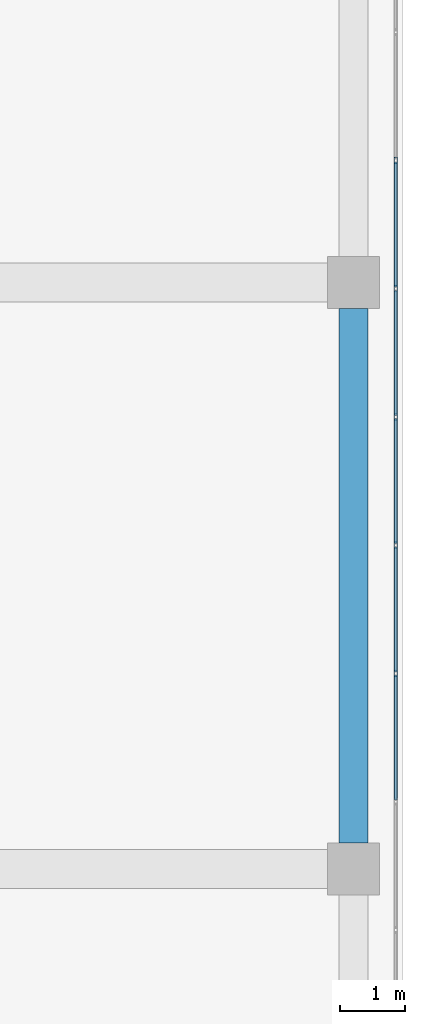
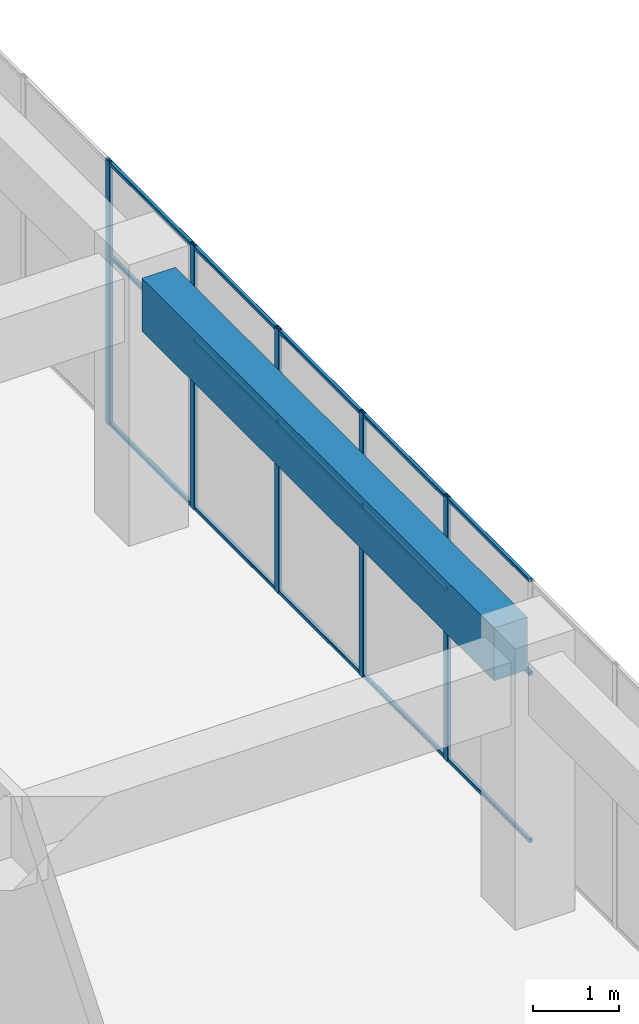
# One storey, part 55 of 81: 20 members, 1 beam, 1 element without a shape of its own.
"""IFC4 building model written with IfcOpenShell, lengths in metres."""

from ifc_helpers import new_model, si_unit, direction, frame, origin, origin_2d, place, context, subcontext, project, spatial, rectangle, hollow_rectangle, extrude, material, layer, layer_set, material_profile, profile_set, type_object, element, aggregate, save


model = new_model("IFC4")

# Units and contexts
model_context = context("Model", 3, precision=1e-05, world=origin(), true_north=direction((0.0, 1.0)))
body_context = subcontext(model_context, "Body", "Model", "MODEL_VIEW")
ifc_project = project(units=[si_unit("LENGTHUNIT", "METRE"), si_unit("AREAUNIT", "SQUARE_METRE"), si_unit("VOLUMEUNIT", "CUBIC_METRE"), si_unit("PLANEANGLEUNIT", "RADIAN"), si_unit("MASSUNIT", "GRAM", prefix="KILO")], contexts=[model_context])

# Site, building, storey
site_placement = place(None, origin())
site = spatial("IfcSite", under=ifc_project, at=site_placement, CompositionType="ELEMENT")
building_placement = place(site_placement, origin())
building = spatial("IfcBuilding", under=site, at=building_placement, Name="Tuart Plaza Theatre", CompositionType="ELEMENT")
storey_placement = place(building_placement, frame((0.0, 0.0, 17.5)))
storey = spatial("IfcBuildingStorey", under=building, at=storey_placement, Name="L04", CompositionType="ELEMENT", Elevation=17.5)

# Beam
ifc_material_1 = material(Name="Concrete N40 (40 MPa)", Category="concrete")
ifc_material_profile_1 = material_profile(ifc_material_1, rectangle(XDim=0.449951171875, YDim=0.75, at=origin_2d()), Name="BEAM 450x750 Concrete N40 (40 MPa)")
ifc_profile_set_1 = profile_set([ifc_material_profile_1], Name="Concrete N40 (40 MPa)")
beam_type = type_object("IfcBeamType", Name="BEAM 450x750 Concrete N40 (40 MPa)", PredefinedType="BEAM", material=ifc_profile_set_1)
beam_placement = place(storey_placement, frame((150.0, 65.39990234375, 3.375), z_axis=(0.0, 1.0, 0.0), x_axis=(-1.0, 0.0, 0.0)))
element("IfcBeam", 1, at=beam_placement, inside=storey, type_object=beam_type, Name="RB239", PredefinedType="BEAM", context=body_context, shape_type="SweptSolid", body=[
    extrude(rectangle(XDim=0.449951171875, YDim=0.75, at=origin_2d()), origin(), (0.0, 0.0, 1.0), 8.2001953125),
])

# Curtain wall, members
ifc_material_2 = material(Name="Aluminium and glass", Category="aluminium")
ifc_layer = layer(ifc_material_2, 0.10009765625)
ifc_layer_set = layer_set([ifc_layer], Name="CURTAIN WALL 2000 module")
curtain_wall_type = type_object("IfcCurtainWallType", Name="CURTAIN WALL 2000 module", PredefinedType="NOTDEFINED", material=ifc_layer_set)
curtain_wall_placement = place(storey_placement, origin())
curtain_wall = element("IfcCurtainWall", 2, at=curtain_wall_placement, inside=storey, type_object=curtain_wall_type, Name="CW78", PredefinedType="NOTDEFINED")
ifc_material_3 = material(Name="Aluminium 6063-T5", Category="aluminium")
ifc_material_profile_2 = material_profile(ifc_material_3, hollow_rectangle(XDim=0.050048828125, YDim=0.10009765625, WallThickness=0.00390625, InnerFilletRadius=0.00390625, OuterFilletRadius=0.008056640625, at=origin_2d()), Name="RHS 100x50x4")
ifc_profile_set_2 = profile_set([ifc_material_profile_2], Name="Aluminium 6063-T5")
member_type_1 = type_object("IfcMemberType", Name="MULLION RHS 100x50x4", PredefinedType="MULLION", material=ifc_profile_set_2)
member_1_placement = place(storey_placement, frame((150.64990234375, 68.0, 0.0), z_axis=(0.0, 0.0, 1.0), x_axis=(-1.0, 0.0, 0.0)))
member_1 = element("IfcMember", 3, at=member_1_placement, type_object=member_type_1, Name="CW78 mullion 9", PredefinedType="MULLION", context=body_context, shape_type="SweptSolid", body=[
    extrude(hollow_rectangle(XDim=0.050048828125, YDim=0.10009765625, WallThickness=0.00390625, InnerFilletRadius=0.00390625, OuterFilletRadius=0.008056640625, at=origin_2d()), origin(), (0.0, 0.0, 1.0), 3.75),
])
member_2_placement = place(storey_placement, frame((150.64990234375, 69.96875, 0.0), z_axis=(0.0, 0.0, 1.0), x_axis=(-1.0, 0.0, 0.0)))
member_2 = element("IfcMember", 4, at=member_2_placement, type_object=member_type_1, Name="CW78 mullion 10", PredefinedType="MULLION", context=body_context, shape_type="SweptSolid", body=[
    extrude(hollow_rectangle(XDim=0.050048828125, YDim=0.10009765625, WallThickness=0.00390625, InnerFilletRadius=0.00390625, OuterFilletRadius=0.008056640625, at=origin_2d()), origin(), (0.0, 0.0, 1.0), 3.75),
])
member_3_placement = place(storey_placement, frame((150.64990234375, 71.9375, 0.0), z_axis=(0.0, 0.0, 1.0), x_axis=(-1.0, 0.0, 0.0)))
member_3 = element("IfcMember", 5, at=member_3_placement, type_object=member_type_1, Name="CW78 mullion 11", PredefinedType="MULLION", context=body_context, shape_type="SweptSolid", body=[
    extrude(hollow_rectangle(XDim=0.050048828125, YDim=0.10009765625, WallThickness=0.00390625, InnerFilletRadius=0.00390625, OuterFilletRadius=0.008056640625, at=origin_2d()), origin(), (0.0, 0.0, 1.0), 3.75),
])
member_4_placement = place(storey_placement, frame((150.64990234375, 73.90625, 0.0), z_axis=(0.0, 0.0, 1.0), x_axis=(-1.0, 0.0, 0.0)))
member_4 = element("IfcMember", 6, at=member_4_placement, type_object=member_type_1, Name="CW78 mullion 12", PredefinedType="MULLION", context=body_context, shape_type="SweptSolid", body=[
    extrude(hollow_rectangle(XDim=0.050048828125, YDim=0.10009765625, WallThickness=0.00390625, InnerFilletRadius=0.00390625, OuterFilletRadius=0.008056640625, at=origin_2d()), origin(), (0.0, 0.0, 1.0), 3.75),
])
member_5_placement = place(storey_placement, frame((150.64990234375, 75.875, 0.0), z_axis=(0.0, 0.0, 1.0), x_axis=(-1.0, 0.0, 0.0)))
member_5 = element("IfcMember", 7, at=member_5_placement, type_object=member_type_1, Name="CW78 mullion 13", PredefinedType="MULLION", context=body_context, shape_type="SweptSolid", body=[
    extrude(hollow_rectangle(XDim=0.050048828125, YDim=0.10009765625, WallThickness=0.00390625, InnerFilletRadius=0.00390625, OuterFilletRadius=0.008056640625, at=origin_2d()), origin(), (0.0, 0.0, 1.0), 3.75),
])
ifc_material_4 = material(Name="Aluminium 6063-T5", Category="aluminium")
ifc_material_profile_3 = material_profile(ifc_material_4, hollow_rectangle(XDim=0.050048828125, YDim=0.050048828125, WallThickness=0.00390625, InnerFilletRadius=0.00390625, OuterFilletRadius=0.008056640625, at=origin_2d()), Name="RHS 50x50x4")
ifc_profile_set_3 = profile_set([ifc_material_profile_3], Name="Aluminium 6063-T5")
member_type_2 = type_object("IfcMemberType", Name="TRANSOM RHS 50x50x4", PredefinedType="USERDEFINED", material=ifc_profile_set_3)
member_6_placement = place(storey_placement, frame((150.64990234375, 66.05615234375, 0.02490234375), z_axis=(0.0, 1.0, 0.0), x_axis=(-1.0, 0.0, 0.0)))
member_6 = element("IfcMember", 8, at=member_6_placement, type_object=member_type_2, Name="CW78 transom 8.1", ObjectType="TRANSOM", PredefinedType="USERDEFINED", context=body_context, shape_type="SweptSolid", body=[
    extrude(hollow_rectangle(XDim=0.050048828125, YDim=0.050048828125, WallThickness=0.00390625, InnerFilletRadius=0.00390625, OuterFilletRadius=0.008056640625, at=origin_2d()), origin(), (0.0, 0.0, 1.0), 1.9189453125),
])
member_7_placement = place(storey_placement, frame((150.64990234375, 66.05615234375, 2.39990234375), z_axis=(0.0, 1.0, 0.0), x_axis=(-1.0, 0.0, 0.0)))
member_7 = element("IfcMember", 9, at=member_7_placement, type_object=member_type_2, Name="CW78 transom 8.2", ObjectType="TRANSOM", PredefinedType="USERDEFINED", context=body_context, shape_type="SweptSolid", body=[
    extrude(hollow_rectangle(XDim=0.050048828125, YDim=0.050048828125, WallThickness=0.00390625, InnerFilletRadius=0.00390625, OuterFilletRadius=0.008056640625, at=origin_2d()), origin(), (0.0, 0.0, 1.0), 1.9189453125),
])
member_8_placement = place(storey_placement, frame((150.64990234375, 66.05615234375, 3.72509765625), z_axis=(0.0, 1.0, 0.0), x_axis=(-1.0, 0.0, 0.0)))
member_8 = element("IfcMember", 10, at=member_8_placement, type_object=member_type_2, Name="CW78 transom 8.3", ObjectType="TRANSOM", PredefinedType="USERDEFINED", context=body_context, shape_type="SweptSolid", body=[
    extrude(hollow_rectangle(XDim=0.050048828125, YDim=0.050048828125, WallThickness=0.00390625, InnerFilletRadius=0.00390625, OuterFilletRadius=0.008056640625, at=origin_2d()), origin(), (0.0, 0.0, 1.0), 1.9189453125),
])
member_9_placement = place(storey_placement, frame((150.64990234375, 68.02490234375, 0.02490234375), z_axis=(0.0, 1.0, 0.0), x_axis=(-1.0, 0.0, 0.0)))
member_9 = element("IfcMember", 11, at=member_9_placement, type_object=member_type_2, Name="CW78 transom 9.1", ObjectType="TRANSOM", PredefinedType="USERDEFINED", context=body_context, shape_type="SweptSolid", body=[
    extrude(hollow_rectangle(XDim=0.050048828125, YDim=0.050048828125, WallThickness=0.00390625, InnerFilletRadius=0.00390625, OuterFilletRadius=0.008056640625, at=origin_2d()), origin(), (0.0, 0.0, 1.0), 1.9189453125),
])
member_10_placement = place(storey_placement, frame((150.64990234375, 68.02490234375, 2.39990234375), z_axis=(0.0, 1.0, 0.0), x_axis=(-1.0, 0.0, 0.0)))
member_10 = element("IfcMember", 12, at=member_10_placement, type_object=member_type_2, Name="CW78 transom 9.2", ObjectType="TRANSOM", PredefinedType="USERDEFINED", context=body_context, shape_type="SweptSolid", body=[
    extrude(hollow_rectangle(XDim=0.050048828125, YDim=0.050048828125, WallThickness=0.00390625, InnerFilletRadius=0.00390625, OuterFilletRadius=0.008056640625, at=origin_2d()), origin(), (0.0, 0.0, 1.0), 1.9189453125),
])
member_11_placement = place(storey_placement, frame((150.64990234375, 68.02490234375, 3.72509765625), z_axis=(0.0, 1.0, 0.0), x_axis=(-1.0, 0.0, 0.0)))
member_11 = element("IfcMember", 13, at=member_11_placement, type_object=member_type_2, Name="CW78 transom 9.3", ObjectType="TRANSOM", PredefinedType="USERDEFINED", context=body_context, shape_type="SweptSolid", body=[
    extrude(hollow_rectangle(XDim=0.050048828125, YDim=0.050048828125, WallThickness=0.00390625, InnerFilletRadius=0.00390625, OuterFilletRadius=0.008056640625, at=origin_2d()), origin(), (0.0, 0.0, 1.0), 1.9189453125),
])
member_12_placement = place(storey_placement, frame((150.64990234375, 69.99365234375, 0.02490234375), z_axis=(0.0, 1.0, 0.0), x_axis=(-1.0, 0.0, 0.0)))
member_12 = element("IfcMember", 14, at=member_12_placement, type_object=member_type_2, Name="CW78 transom 10.1", ObjectType="TRANSOM", PredefinedType="USERDEFINED", context=body_context, shape_type="SweptSolid", body=[
    extrude(hollow_rectangle(XDim=0.050048828125, YDim=0.050048828125, WallThickness=0.00390625, InnerFilletRadius=0.00390625, OuterFilletRadius=0.008056640625, at=origin_2d()), origin(), (0.0, 0.0, 1.0), 1.9189453125),
])
member_13_placement = place(storey_placement, frame((150.64990234375, 69.99365234375, 2.39990234375), z_axis=(0.0, 1.0, 0.0), x_axis=(-1.0, 0.0, 0.0)))
member_13 = element("IfcMember", 15, at=member_13_placement, type_object=member_type_2, Name="CW78 transom 10.2", ObjectType="TRANSOM", PredefinedType="USERDEFINED", context=body_context, shape_type="SweptSolid", body=[
    extrude(hollow_rectangle(XDim=0.050048828125, YDim=0.050048828125, WallThickness=0.00390625, InnerFilletRadius=0.00390625, OuterFilletRadius=0.008056640625, at=origin_2d()), origin(), (0.0, 0.0, 1.0), 1.9189453125),
])
member_14_placement = place(storey_placement, frame((150.64990234375, 69.99365234375, 3.72509765625), z_axis=(0.0, 1.0, 0.0), x_axis=(-1.0, 0.0, 0.0)))
member_14 = element("IfcMember", 16, at=member_14_placement, type_object=member_type_2, Name="CW78 transom 10.3", ObjectType="TRANSOM", PredefinedType="USERDEFINED", context=body_context, shape_type="SweptSolid", body=[
    extrude(hollow_rectangle(XDim=0.050048828125, YDim=0.050048828125, WallThickness=0.00390625, InnerFilletRadius=0.00390625, OuterFilletRadius=0.008056640625, at=origin_2d()), origin(), (0.0, 0.0, 1.0), 1.9189453125),
])
member_15_placement = place(storey_placement, frame((150.64990234375, 71.96240234375, 0.02490234375), z_axis=(0.0, 1.0, 0.0), x_axis=(-1.0, 0.0, 0.0)))
member_15 = element("IfcMember", 17, at=member_15_placement, type_object=member_type_2, Name="CW78 transom 11.1", ObjectType="TRANSOM", PredefinedType="USERDEFINED", context=body_context, shape_type="SweptSolid", body=[
    extrude(hollow_rectangle(XDim=0.050048828125, YDim=0.050048828125, WallThickness=0.00390625, InnerFilletRadius=0.00390625, OuterFilletRadius=0.008056640625, at=origin_2d()), origin(), (0.0, 0.0, 1.0), 1.9189453125),
])
member_16_placement = place(storey_placement, frame((150.64990234375, 71.96240234375, 2.39990234375), z_axis=(0.0, 1.0, 0.0), x_axis=(-1.0, 0.0, 0.0)))
member_16 = element("IfcMember", 18, at=member_16_placement, type_object=member_type_2, Name="CW78 transom 11.2", ObjectType="TRANSOM", PredefinedType="USERDEFINED", context=body_context, shape_type="SweptSolid", body=[
    extrude(hollow_rectangle(XDim=0.050048828125, YDim=0.050048828125, WallThickness=0.00390625, InnerFilletRadius=0.00390625, OuterFilletRadius=0.008056640625, at=origin_2d()), origin(), (0.0, 0.0, 1.0), 1.9189453125),
])
member_17_placement = place(storey_placement, frame((150.64990234375, 71.96240234375, 3.72509765625), z_axis=(0.0, 1.0, 0.0), x_axis=(-1.0, 0.0, 0.0)))
member_17 = element("IfcMember", 19, at=member_17_placement, type_object=member_type_2, Name="CW78 transom 11.3", ObjectType="TRANSOM", PredefinedType="USERDEFINED", context=body_context, shape_type="SweptSolid", body=[
    extrude(hollow_rectangle(XDim=0.050048828125, YDim=0.050048828125, WallThickness=0.00390625, InnerFilletRadius=0.00390625, OuterFilletRadius=0.008056640625, at=origin_2d()), origin(), (0.0, 0.0, 1.0), 1.9189453125),
])
member_18_placement = place(storey_placement, frame((150.64990234375, 73.93115234375, 0.02490234375), z_axis=(0.0, 1.0, 0.0), x_axis=(-1.0, 0.0, 0.0)))
member_18 = element("IfcMember", 20, at=member_18_placement, type_object=member_type_2, Name="CW78 transom 12.1", ObjectType="TRANSOM", PredefinedType="USERDEFINED", context=body_context, shape_type="SweptSolid", body=[
    extrude(hollow_rectangle(XDim=0.050048828125, YDim=0.050048828125, WallThickness=0.00390625, InnerFilletRadius=0.00390625, OuterFilletRadius=0.008056640625, at=origin_2d()), origin(), (0.0, 0.0, 1.0), 1.9189453125),
])
member_19_placement = place(storey_placement, frame((150.64990234375, 73.93115234375, 2.39990234375), z_axis=(0.0, 1.0, 0.0), x_axis=(-1.0, 0.0, 0.0)))
member_19 = element("IfcMember", 21, at=member_19_placement, type_object=member_type_2, Name="CW78 transom 12.2", ObjectType="TRANSOM", PredefinedType="USERDEFINED", context=body_context, shape_type="SweptSolid", body=[
    extrude(hollow_rectangle(XDim=0.050048828125, YDim=0.050048828125, WallThickness=0.00390625, InnerFilletRadius=0.00390625, OuterFilletRadius=0.008056640625, at=origin_2d()), origin(), (0.0, 0.0, 1.0), 1.9189453125),
])
member_20_placement = place(storey_placement, frame((150.64990234375, 73.93115234375, 3.72509765625), z_axis=(0.0, 1.0, 0.0), x_axis=(-1.0, 0.0, 0.0)))
member_20 = element("IfcMember", 22, at=member_20_placement, type_object=member_type_2, Name="CW78 transom 12.3", ObjectType="TRANSOM", PredefinedType="USERDEFINED", context=body_context, shape_type="SweptSolid", body=[
    extrude(hollow_rectangle(XDim=0.050048828125, YDim=0.050048828125, WallThickness=0.00390625, InnerFilletRadius=0.00390625, OuterFilletRadius=0.008056640625, at=origin_2d()), origin(), (0.0, 0.0, 1.0), 1.9189453125),
])
aggregate(curtain_wall, [member_1, member_2, member_3, member_4, member_5, member_6, member_7, member_8, member_9, member_10, member_11, member_12, member_13, member_14, member_15, member_16, member_17, member_18, member_19, member_20])

save(model, "model.ifc")
